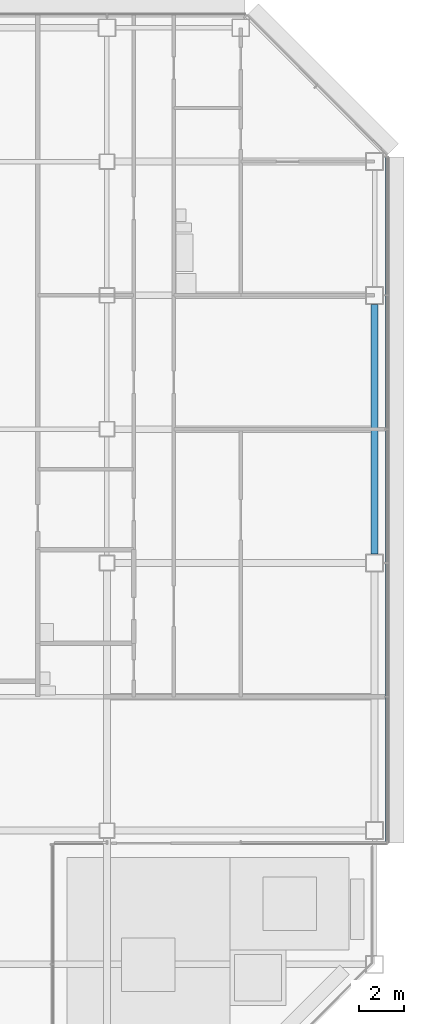
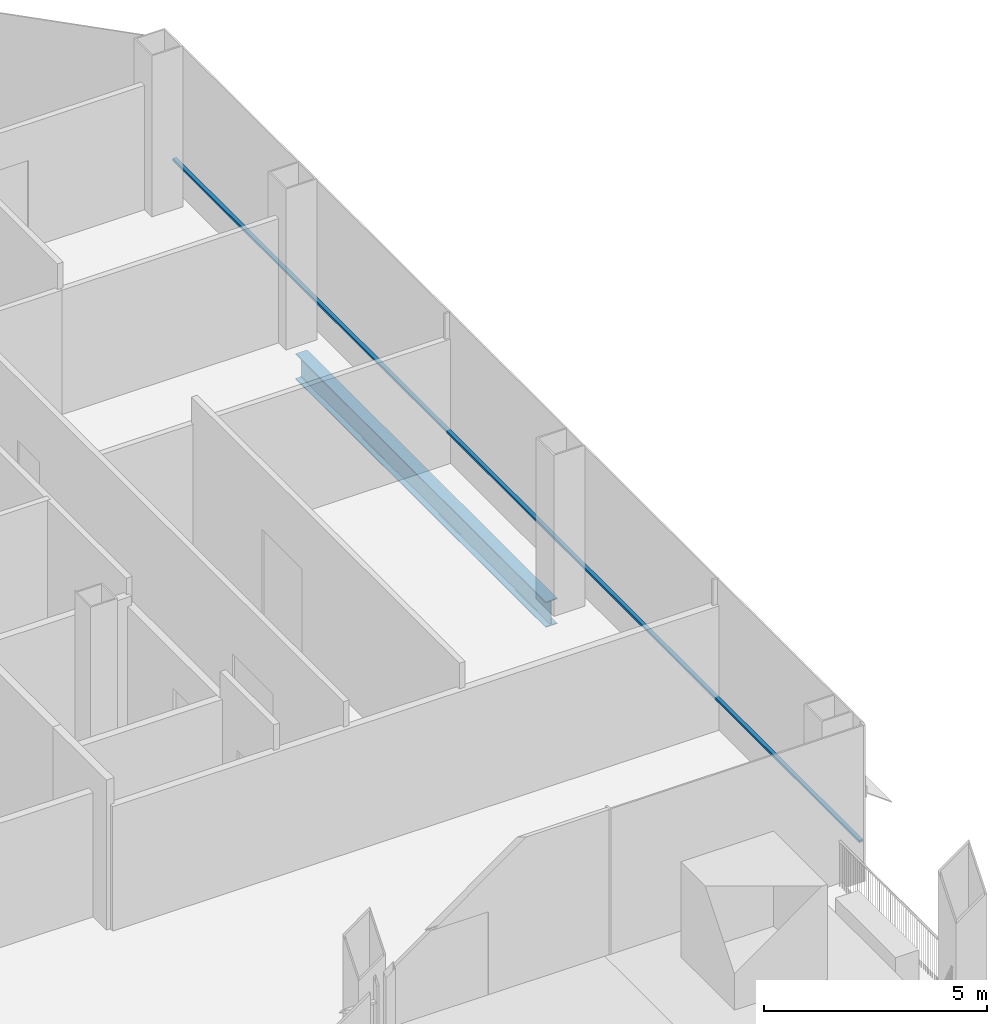
# One storey, part 16 of 28: 1 beam, 1 member, 1 element without a shape of its own.
"""IFC4 building model written with IfcOpenShell, lengths in metres."""

from ifc_helpers import new_model, si_unit, direction, frame, origin, origin_2d, place, context, subcontext, project, spatial, rectangle, i_section, extrude, material, material_profile, profile_set, type_object, element, aggregate, save


model = new_model("IFC4")

# Units and contexts
model_context = context("Model", 3, precision=1e-05, world=origin(), true_north=direction((0.0, 1.0)))
body_context = subcontext(model_context, "Body", "Model", "MODEL_VIEW")
ifc_project = project(units=[si_unit("LENGTHUNIT", "METRE"), si_unit("AREAUNIT", "SQUARE_METRE"), si_unit("VOLUMEUNIT", "CUBIC_METRE"), si_unit("PLANEANGLEUNIT", "RADIAN"), si_unit("MASSUNIT", "GRAM", prefix="KILO")], contexts=[model_context])

# Site, building, storey
site_placement = place(None, origin())
site = spatial("IfcSite", under=ifc_project, at=site_placement, CompositionType="ELEMENT")
building_placement = place(site_placement, origin())
building = spatial("IfcBuilding", under=site, at=building_placement, Name="Sorahane Residences", CompositionType="ELEMENT")
storey_placement = place(building_placement, frame((0.0, 0.0, 134.0)))
storey = spatial("IfcBuildingStorey", under=building, at=storey_placement, Name="L30", CompositionType="ELEMENT", Elevation=134.0)

# Curtain wall, member
ifc_material_1 = material(Name="Dark low-e glass and black anodised aluminium", Category="aluminium")
curtain_wall_type = type_object("IfcCurtainWallType", Name="Curtain wall CW-1 Typical unitised wall", PredefinedType="NOTDEFINED", material=ifc_material_1)
curtain_wall_placement = place(storey_placement, origin())
curtain_wall = element("IfcCurtainWall", 1, at=curtain_wall_placement, inside=storey, type_object=curtain_wall_type, Name="CW-1 curtain wall L30 E2", PredefinedType="NOTDEFINED")
ifc_material_2 = material(Name="Black anodised aluminium", Category="aluminium")
ifc_material_profile_1 = material_profile(ifc_material_2, rectangle(XDim=0.10009765625, YDim=0.06005859375, at=origin_2d()), Name="Curtain wall transom CW-1 black anodised aluminium 60x100")
ifc_profile_set_1 = profile_set([ifc_material_profile_1], Name="Black anodised aluminium")
member_type = type_object("IfcMemberType", Name="Curtain wall transom CW-1 black anodised aluminium 60x100", PredefinedType="USERDEFINED", material=ifc_profile_set_1)
member_placement = place(storey_placement, frame((60.530029296875, 11.449951171875, 0.89990234375), z_axis=(0.0, 1.0, 0.0), x_axis=(-1.0, 0.0, 0.0)))
member = element("IfcMember", 2, at=member_placement, type_object=member_type, Name="CW-1 transom L30 E2", ObjectType="TRANSOM", PredefinedType="USERDEFINED", context=body_context, shape_type="SweptSolid", body=[
    extrude(rectangle(XDim=0.10009765625, YDim=0.06005859375, at=origin_2d()), origin(), (0.0, 0.0, 1.0), 30.74853515625),
])
aggregate(curtain_wall, [member])

# Beam
ifc_material_3 = material(Name="Steel Q355B", Category="steel")
ifc_material_profile_2 = material_profile(ifc_material_3, i_section(OverallWidth=0.300048828125, OverallDepth=0.699951171875, WebThickness=0.012939453125, FlangeThickness=0.02392578125, FilletRadius=0.028076171875, at=origin_2d()), Name="HN 700x300x13x24")
ifc_profile_set_2 = profile_set([ifc_material_profile_2], Name="Steel Q355B")
beam_type = type_object("IfcBeamType", Name="Steel floor beam HN 700x300x13x24 Q355B", PredefinedType="BEAM", material=ifc_profile_set_2)
beam_placement = place(storey_placement, frame((60.0, 24.39990234375, -0.530029296875), z_axis=(0.0, 1.0, 0.0), x_axis=(-1.0, 0.0, 0.0)))
element("IfcBeam", 3, at=beam_placement, inside=storey, type_object=beam_type, Name="Beam L30 065", PredefinedType="BEAM", context=body_context, shape_type="SweptSolid", body=[
    extrude(i_section(OverallWidth=0.300048828125, OverallDepth=0.699951171875, WebThickness=0.012939453125, FlangeThickness=0.02392578125, FilletRadius=0.028076171875, at=origin_2d()), origin(), (0.0, 0.0, 1.0), 11.2001953125),
])

save(model, "model.ifc")
